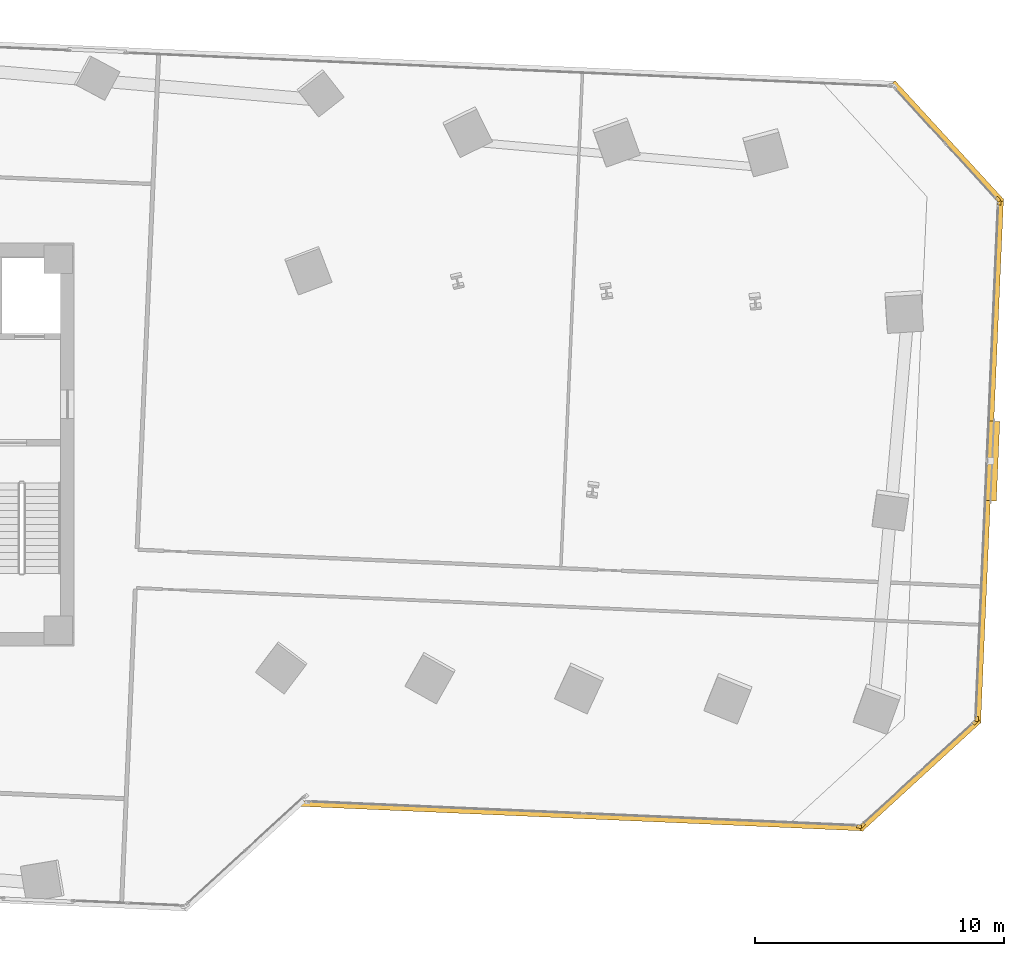
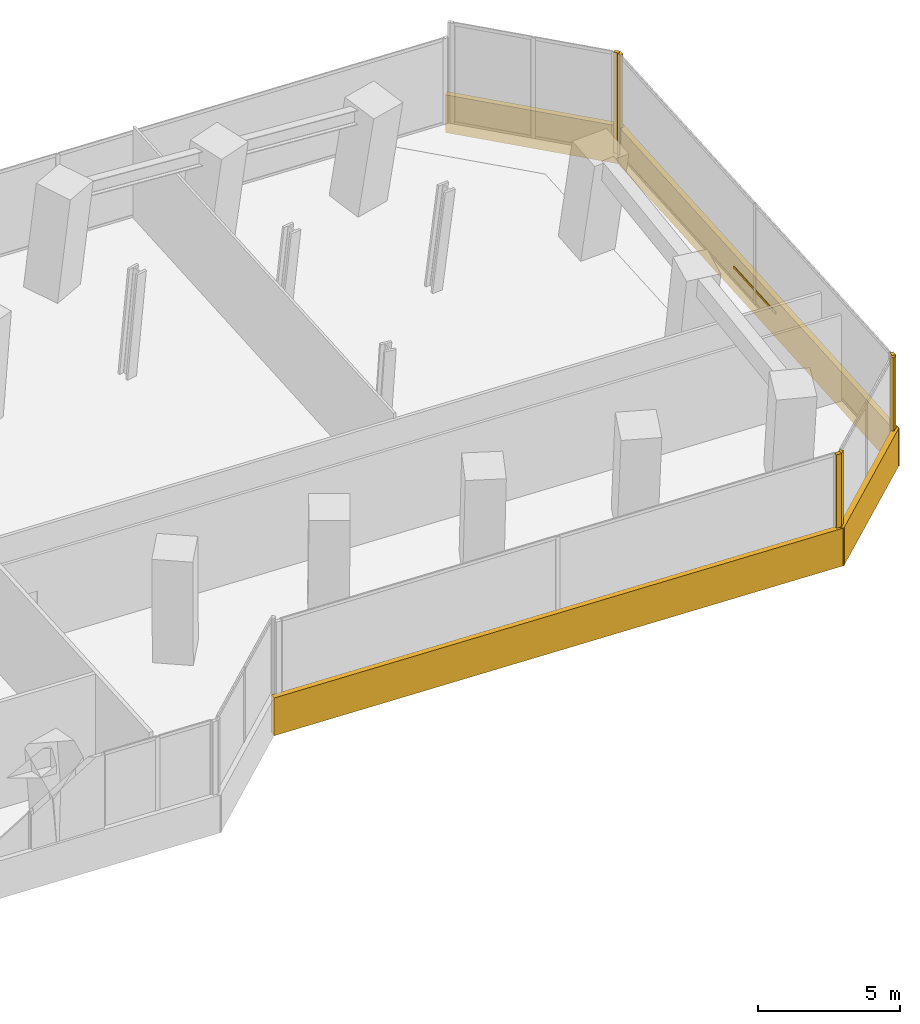
# One storey, part 25 of 26: 10 coverings, 1 shading device.
"""IFC4 building model written with IfcOpenShell, lengths in metres."""

from ifc_helpers import new_model, si_unit, direction, frame, origin, origin_2d, place, context, subcontext, project, spatial, rectangle, extrude, source, transform, mapped, material, layer, layer_set, type_object, element, save


model = new_model("IFC4")

# Units and contexts
model_context = context("Model", 3, precision=1e-05, world=origin(), true_north=direction((0.0, 1.0)))
body_context = subcontext(model_context, "Body", "Model", "MODEL_VIEW")
ifc_project = project(units=[si_unit("LENGTHUNIT", "METRE"), si_unit("AREAUNIT", "SQUARE_METRE"), si_unit("VOLUMEUNIT", "CUBIC_METRE"), si_unit("PLANEANGLEUNIT", "RADIAN"), si_unit("MASSUNIT", "GRAM", prefix="KILO")], contexts=[model_context])

# Site, building, storey
site_placement = place(None, origin())
site = spatial("IfcSite", under=ifc_project, at=site_placement, CompositionType="ELEMENT")
building_placement = place(site_placement, origin())
building = spatial("IfcBuilding", under=site, at=building_placement, Name="Torre Montelarca", CompositionType="ELEMENT")
storey_placement = place(building_placement, frame((0.0, 0.0, 42.39990234375)))
storey = spatial("IfcBuildingStorey", under=building, at=storey_placement, Name="L09", CompositionType="ELEMENT", Elevation=42.39990234375)

# Coverings
ifc_material_1 = material(Name="Bush-hammered warm white precast concrete C45/55", Category="concrete")
ifc_layer_1 = layer(ifc_material_1, 0.139892578125, Name="Bush-hammered warm white precast concrete C45/55", Category="concrete")
ifc_layer_set_1 = layer_set([ifc_layer_1], Name="Bush-hammered warm white precast concrete C45/55")
covering_type = type_object("IfcCoveringType", Name="COV-TRAY-CLAD", PredefinedType="CLADDING", material=ifc_layer_set_1)
shared_shape_1 = source(origin(), body_context, "Body", "SweptSolid", [
    extrude(rectangle(XDim=0.199951171875, YDim=0.139892578125, at=origin_2d()), origin(), (0.0, 0.0, 1.0), 4.320068359375),
])
for number, where, z_axis, x_axis, name in (
    (1, (58.650146484375, 16.65478515625, 0.0), (0.0, 0.0, 1.0), (0.99904814545, -0.043621131033, 0.0), "L09 Architectural Column Pier Cladding E04-2"),
    (2, (58.78662109375, 16.70458984375, 0.0), (0.0, 0.0, 1.0), (0.737280874182, 0.675586347231, 0.0), "L09 Architectural Column Pier Cladding E05-1"),
    (3, (63.307861328125, 20.847412109375, 0.0), (0.0, 0.0, 1.0), (0.737280874182, 0.675586347231, 0.0), "L09 Architectural Column Pier Cladding E05-2"),
    (4, (63.369140625, 20.97900390625, 0.0), (0.0, 0.0, 1.0), (0.043621131033, 0.99904814545, 0.0), "L09 Architectural Column Pier Cladding E06-1"),
    (5, (64.275146484375, 41.7275390625, 0.0), (0.0, 0.0, 1.0), (0.043621131033, 0.99904814545, 0.0), "L09 Architectural Column Pier Cladding E06-2"),
    (6, (64.225341796875, 41.864013671875, 0.0), (0.0, 0.0, 1.0), (-0.675586347231, 0.737280874182, 0.0), "L09 Architectural Column Pier Cladding E07-1"),
):
    element("IfcCovering", number, at=place(storey_placement, frame(where, z_axis=z_axis, x_axis=x_axis)), inside=storey, type_object=covering_type, Name=name, PredefinedType="CLADDING", context=body_context, shape_type="MappedRepresentation", body=[
        mapped(shared_shape_1, transform((0.0, 0.0, 0.0), scale=1.0)),
    ])
shared_shape_2 = source(origin(), body_context, "Body", "SweptSolid", [
    extrude(rectangle(XDim=6.48388671875, YDim=0.219970703125, at=origin_2d()), origin(), (0.0, 0.0, 1.0), 1.6201171875),
])
for number, where, z_axis, x_axis, name in (
    (7, (61.087646484375, 18.731689453125, -0.449951171875), (0.0, 0.0, 1.0), (0.73727969506, 0.675587634028, 0.0), "L09 Architectural White Spandrel Tray Band TRYBOT-05"),
    (8, (62.1982421875, 44.1650390625, -0.449951171875), (0.0, 0.0, 1.0), (-0.675587634028, 0.73727969506, 0.0), "L09 Architectural White Spandrel Tray Band TRYBOT-07"),
):
    element("IfcCovering", number, at=place(storey_placement, frame(where, z_axis=z_axis, x_axis=x_axis)), inside=storey, type_object=covering_type, Name=name, PredefinedType="CLADDING", context=body_context, shape_type="MappedRepresentation", body=[
        mapped(shared_shape_2, transform((0.0, 0.0, 0.0), scale=1.0)),
    ])
shared_shape_3 = source(origin(), body_context, "Body", "SweptSolid", [
    extrude(rectangle(XDim=22.6201171875, YDim=0.219970703125, at=origin_2d()), origin(), (0.0, 0.0, 1.0), 1.6201171875),
])
covering_1_placement = place(storey_placement, frame((47.52392578125, 17.080810546875, -0.449951171875), z_axis=(0.0, 0.0, 1.0), x_axis=(0.999048297711, -0.043617643697, 0.0)))
element("IfcCovering", 9, at=covering_1_placement, inside=storey, type_object=covering_type, Name="L09 Architectural White Spandrel Tray Band TRYBOT-04", PredefinedType="CLADDING", context=body_context, shape_type="MappedRepresentation", body=[
    mapped(shared_shape_3, transform((0.0, 0.0, 0.0), scale=1.0)),
])
shared_shape_4 = source(origin(), body_context, "Body", "SweptSolid", [
    extrude(rectangle(XDim=21.1201171875, YDim=0.219970703125, at=origin_2d()), origin(), (0.0, 0.0, 1.0), 1.6201171875),
])
covering_2_placement = place(storey_placement, frame((63.882080078125, 31.3505859375, -0.449951171875), z_axis=(0.0, 0.0, 1.0), x_axis=(0.043619387365, 0.999048221582, 0.0)))
element("IfcCovering", 10, at=covering_2_placement, inside=storey, type_object=covering_type, Name="L09 Architectural White Spandrel Tray Band TRYBOT-06", PredefinedType="CLADDING", context=body_context, shape_type="MappedRepresentation", body=[
    mapped(shared_shape_4, transform((0.0, 0.0, 0.0), scale=1.0)),
])

# Shading device
ifc_material_2 = material(Name="Anodised champagne bronze aluminium AA 6063-T6", Category="aluminium")
ifc_layer_2 = layer(ifc_material_2, 0.070068359375, Name="Anodised champagne bronze aluminium AA 6063-T6", Category="aluminium")
ifc_layer_set_2 = layer_set([ifc_layer_2], Name="Anodised champagne bronze aluminium AA 6063-T6")
shading_device_type = type_object("IfcShadingDeviceType", Name="SHD-SUNSHADE-1", PredefinedType="USERDEFINED", material=ifc_layer_set_2)
shared_shape_5 = source(origin(), body_context, "Body", "SweptSolid", [
    extrude(rectangle(XDim=3.199951171875, YDim=0.47998046875, at=origin_2d()), origin(), (0.0, 0.0, 1.0), 0.10009765625),
])
shading_device_placement = place(storey_placement, frame((63.991943359375, 31.345947265625, 0.570068359375), z_axis=(0.0, 0.0, 1.0), x_axis=(0.043619387365, 0.999048221582, 0.0)))
element("IfcShadingDevice", 11, at=shading_device_placement, inside=storey, type_object=shading_device_type, Name="L09 Facade Solar Shading Device E6", ObjectType="SUNSHADE", PredefinedType="USERDEFINED", context=body_context, shape_type="MappedRepresentation", body=[
    mapped(shared_shape_5, transform((0.0, 0.0, 0.0), scale=1.0)),
])

save(model, "model.ifc")
